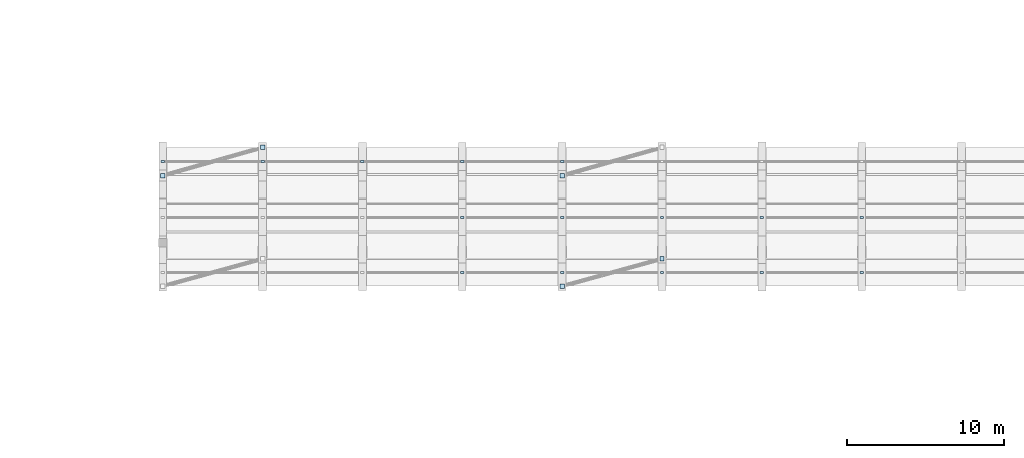
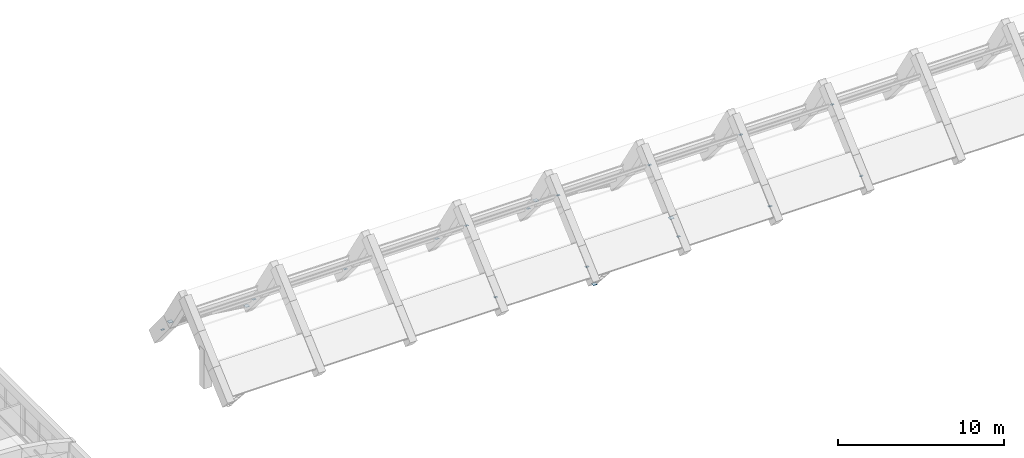
# One storey, part 24 of 40: 20 plates.
"""IFC4 building model written with IfcOpenShell, lengths in metres."""

import ifcopenshell
import ifcopenshell.guid

model = None  # the IFC model being written
_history = None  # IfcOwnerHistory: only IFC2X3 demands one
_inside = {}  # id of a spatial element -> (the spatial element, [elements in it])
_under = {}  # id of a project, library or spatial element -> (it, [spatial elements below it])
_declared = {}  # id of a project -> (the project, [libraries it declares])
_typed = {}  # id of a type object -> (the type object, [elements of that type])
_made_of = {}  # id of a material, layer set ... -> (it, [elements and type objects made of it])


def new_model(schema):
    """Start an empty IFC model of exactly this schema.

    Asked for "IFC4X3", IfcOpenShell would pick the latest addendum, in which some entities
    have other attributes; the version numbers below select the first issue.
    IFC2X3 requires an IfcOwnerHistory on every rooted entity: one is made here for all.
    """
    global model, _history
    if schema == "IFC4X3":
        model = ifcopenshell.file(schema_version=(4, 3, 0, 0))
    else:
        model = ifcopenshell.file(schema=schema)
    _inside.clear()
    _under.clear()
    _declared.clear()
    _typed.clear()
    _made_of.clear()
    _history = None
    if model.schema == "IFC2X3":
        org = make("IfcOrganization", Name="unknown")
        user = make(
            "IfcPersonAndOrganization",
            ThePerson=make("IfcPerson", FamilyName="unknown"),
            TheOrganization=org,
        )
        app = make(
            "IfcApplication",
            ApplicationDeveloper=org,
            Version="unknown",
            ApplicationFullName="unknown",
            ApplicationIdentifier="unknown",
        )
        _history = make(
            "IfcOwnerHistory",
            OwningUser=user,
            OwningApplication=app,
            ChangeAction="ADDED",
            CreationDate=0,
        )
    return model


def make(cls, **values):
    """One entity of the class cls with the attributes given. An attribute that is None is left unset."""
    return model.create_entity(
        cls, **{name: value for name, value in values.items() if value is not None}
    )


def rooted(cls, **values):
    """An entity with a GlobalId (a new one), such as an element, a storey or a relation."""
    return make(cls, GlobalId=ifcopenshell.guid.new(), OwnerHistory=_history, **values)


def si_unit(unit_type, name, prefix=None):
    """IfcSIUnit, for example si_unit("LENGTHUNIT", "METRE", prefix="MILLI")."""
    return make("IfcSIUnit", UnitType=unit_type, Prefix=prefix, Name=name)


def assignment(units):
    """IfcUnitAssignment: the units of a project."""
    return None if units is None else make("IfcUnitAssignment", Units=units)


def point(xyz):
    """IfcCartesianPoint."""
    return None if xyz is None else make("IfcCartesianPoint", Coordinates=xyz)


def direction(xyz):
    """IfcDirection."""
    return None if xyz is None else make("IfcDirection", DirectionRatios=xyz)


def frame(location, z_axis=None, x_axis=None):
    """IfcAxis2Placement3D, a coordinate frame: its origin and axes. An axis left out is left unset."""
    return make(
        "IfcAxis2Placement3D",
        Location=point(location),
        Axis=direction(z_axis),
        RefDirection=direction(x_axis),
    )


def frame_2d(location, x_axis=None):
    """IfcAxis2Placement2D, a coordinate frame in the plane: its origin and x axis."""
    return make(
        "IfcAxis2Placement2D", Location=point(location), RefDirection=direction(x_axis)
    )


def origin():
    """The frame at (0, 0, 0) with its axes left unset."""
    return frame((0.0, 0.0, 0.0))


def origin_2d():
    """The frame at (0, 0) in the plane with its x axis left unset."""
    return frame_2d((0.0, 0.0))


def place(relative_to, where):
    """IfcLocalPlacement: puts the frame where relative to a parent placement (None: the world)."""
    return make(
        "IfcLocalPlacement", PlacementRelTo=relative_to, RelativePlacement=where
    )


def context(
    kind, dimensions, precision=None, world=None, true_north=None, identifier=None
):
    """IfcGeometricRepresentationContext, for example the 3D "Model" context."""
    return make(
        "IfcGeometricRepresentationContext",
        ContextIdentifier=identifier,
        ContextType=kind,
        CoordinateSpaceDimension=dimensions,
        Precision=precision,
        WorldCoordinateSystem=world,
        TrueNorth=true_north,
    )


def subcontext(parent, identifier, kind, view, scale=None):
    """IfcGeometricRepresentationSubContext, for example "Body" below "Model"."""
    return make(
        "IfcGeometricRepresentationSubContext",
        ContextIdentifier=identifier,
        ContextType=kind,
        ParentContext=parent,
        TargetScale=scale,
        TargetView=view,
    )


def project(units=None, contexts=None):
    """IfcProject with its units and contexts."""
    return rooted(
        "IfcProject",
        Name="project",
        RepresentationContexts=contexts,
        UnitsInContext=assignment(units),
    )


def spatial(cls, under=None, at=None, **own):
    """A site, building, storey or space (cls), placed at a placement, below another one or the project."""
    s = rooted(cls, ObjectPlacement=at, **own)
    if under is not None:
        _under.setdefault(under.id(), (under, []))[1].append(s)
    return s


def profile(cls, at=None, kind="AREA", **sizes):
    """A parametric profile (cls). Its sizes go by their IFC names, for example OverallWidth=200.0."""
    return make(cls, ProfileType=kind, Position=at, **sizes)


def rectangle(**sizes):
    """IfcRectangleProfileDef."""
    return profile("IfcRectangleProfileDef", **sizes)


def extrude(swept, where, along, depth):
    """IfcExtrudedAreaSolid: the profile swept, set in the frame where, extruded along a direction by depth."""
    return make(
        "IfcExtrudedAreaSolid",
        SweptArea=swept,
        Position=where,
        ExtrudedDirection=direction(along),
        Depth=depth,
    )


def shape(context_of_items, identifier, shape_type, items):
    """IfcShapeRepresentation: the items that make up one representation, for example the "Body"."""
    return make(
        "IfcShapeRepresentation",
        ContextOfItems=context_of_items,
        RepresentationIdentifier=identifier,
        RepresentationType=shape_type,
        Items=items,
    )


def material(Name=None, Category=None):
    """IfcMaterial."""
    return make("IfcMaterial", Name=Name, Category=Category)


def layer(
    of_material, thickness, ventilated=None, Name=None, Category=None, Priority=None
):
    """IfcMaterialLayer: one layer of a wall or slab, of a material (None: an air gap)."""
    return make(
        "IfcMaterialLayer",
        Material=of_material,
        LayerThickness=thickness,
        IsVentilated=ventilated,
        Name=Name,
        Category=Category,
        Priority=Priority,
    )


def layer_set(layers, Name=None):
    """IfcMaterialLayerSet."""
    return make("IfcMaterialLayerSet", MaterialLayers=layers, LayerSetName=Name)


def made_of(thing, what):
    """Note that an element or type object is made of a material, layer set ...; save() writes the relation."""
    if what is not None:
        _made_of.setdefault(what.id(), (what, []))[1].append(thing)
    return thing


def type_object(cls, material=None, **own):
    """A type object (cls), such as IfcWallType, which elements share."""
    return made_of(rooted(cls, **own), material)


def element(
    cls,
    number,
    at=None,
    inside=None,
    cuts=None,
    type_object=None,
    material=None,
    context=None,
    identifier="Body",
    shape_type=None,
    held_by="IfcProductDefinitionShape",
    body=None,
    shapes=None,
    **own,
):
    """One element of the class cls, such as IfcWall. Its Tag is "e" and its number.

    at: its placement. inside: the storey or other place that contains it. cuts: it is an
    opening in that element (IfcRelVoidsElement). A single representation is given by context,
    identifier, shape_type and body (its items); several are given by shapes. held_by: the class
    of the entity that holds the representations. save() writes the other relations.
    """
    e = rooted(cls, Tag="e%d" % number, ObjectPlacement=at, **own)
    if body is not None:
        shapes = [shape(context, identifier, shape_type, body)]
    if shapes is not None:
        e.Representation = make(held_by, Representations=shapes)
    if inside is not None:
        _inside.setdefault(inside.id(), (inside, []))[1].append(e)
    if cuts is not None:
        rooted(
            "IfcRelVoidsElement", RelatingBuildingElement=cuts, RelatedOpeningElement=e
        )
    if type_object is not None:
        _typed.setdefault(type_object.id(), (type_object, []))[1].append(e)
    return made_of(e, material)


def aggregate(whole, parts):
    """IfcRelAggregates: a whole, such as a stair, and the parts it consists of."""
    return rooted("IfcRelAggregates", RelatingObject=whole, RelatedObjects=parts)


def save(model, path):
    """Write the relations noted so far, then the file.

    IfcRelAggregates (storeys below a building ...), IfcRelContainedInSpatialStructure (elements
    in a storey), IfcRelDefinesByType, IfcRelAssociatesMaterial and IfcRelDeclares: one each for
    every whole, place, type object, material and project.
    """
    for whole, parts in _under.values():
        aggregate(whole, parts)
    for where, things in _inside.values():
        rooted(
            "IfcRelContainedInSpatialStructure",
            RelatedElements=things,
            RelatingStructure=where,
        )
    for kind, things in _typed.values():
        rooted("IfcRelDefinesByType", RelatedObjects=things, RelatingType=kind)
    for what, things in _made_of.values():
        rooted("IfcRelAssociatesMaterial", RelatedObjects=things, RelatingMaterial=what)
    for by, libraries in _declared.values():
        rooted("IfcRelDeclares", RelatingContext=by, RelatedDefinitions=libraries)
    model.write(path)


model = new_model("IFC4")

# Units and contexts
model_context = context("Model", 3, precision=1e-05, world=origin(), true_north=direction((0.0, 1.0)))
body_context = subcontext(model_context, "Body", "Model", "MODEL_VIEW")
ifc_project = project(units=[si_unit("LENGTHUNIT", "METRE"), si_unit("AREAUNIT", "SQUARE_METRE"), si_unit("VOLUMEUNIT", "CUBIC_METRE"), si_unit("PLANEANGLEUNIT", "RADIAN"), si_unit("MASSUNIT", "GRAM", prefix="KILO")], contexts=[model_context])

# Site, building, storey
site_placement = place(None, origin())
site = spatial("IfcSite", under=ifc_project, at=site_placement, CompositionType="ELEMENT")
building_placement = place(site_placement, origin())
building = spatial("IfcBuilding", under=site, at=building_placement, Name="Trellovar Central Fire Station", CompositionType="ELEMENT")
storey_placement = place(building_placement, frame((0.0, 0.0, 12.75)))
storey = spatial("IfcBuildingStorey", under=building, at=storey_placement, Name="L04", CompositionType="ELEMENT", Elevation=12.75)

# Plates
ifc_material_1 = material(Name="Steel ASTM A36", Category="steel")
ifc_layer_1 = layer(ifc_material_1, 0.02001953125)
ifc_layer_set_1 = layer_set([ifc_layer_1], Name="Steel ASTM A36")
plate_type_1 = type_object("IfcPlateType", Name="PLT-EP2", PredefinedType="SHEET", material=ifc_layer_set_1)
for number, where, z_axis, x_axis, name in (
    (1, (35.0, 26.273193359375, 2.1103515625), (0.0, 0.0, 1.0), (1.0, 0.0, 0.0), "HSS end-cap plate 209"),
    (2, (41.35009765625, 28.066650390625, -0.052734375), (0.0, 0.0, 1.0), (1.0, 0.0, 0.0), "HSS end-cap plate 210"),
    (3, (60.39990234375, 19.239990234375, 0.239990234375), (0.0, 0.0, 1.0), (1.0, 0.0, 0.0), "HSS end-cap plate 252"),
    (4, (66.75, 20.98681640625, 1.806640625), (0.0, 0.0, 1.0), (1.0, 0.0, 0.0), "HSS end-cap plate 253"),
    (5, (60.39990234375, 26.273193359375, 2.1103515625), (0.0, 0.0, 1.0), (1.0, 0.0, 0.0), "HSS end-cap plate 256"),
):
    element("IfcPlate", number, at=place(storey_placement, frame(where, z_axis=z_axis, x_axis=x_axis)), inside=storey, type_object=plate_type_1, Name=name, PredefinedType="SHEET", context=body_context, shape_type="SweptSolid", body=[
        extrude(rectangle(XDim=0.280029296875, YDim=0.280029296875, at=origin_2d()), origin(), (0.0, 0.0, 1.0), 0.02001953125),
    ])
ifc_material_2 = material(Name="Steel ASTM A36", Category="steel")
ifc_layer_2 = layer(ifc_material_2, 0.01611328125)
ifc_layer_set_2 = layer_set([ifc_layer_2], Name="Steel ASTM A36")
plate_type_2 = type_object("IfcPlateType", Name="PLT-EP4", PredefinedType="SHEET", material=ifc_layer_set_2)
for number, where, z_axis, x_axis, name in (
    (6, (35.0, 27.169921875, 0.99072265625), (0.0, 0.0, 1.0), (1.0, 0.0, 0.0), "HSS end-cap plate 207"),
    (7, (41.35009765625, 27.169921875, 0.99072265625), (0.0, 0.0, 1.0), (1.0, 0.0, 0.0), "HSS end-cap plate 208"),
    (8, (47.699951171875, 27.169921875, 0.99072265625), (0.0, 0.0, 1.0), (1.0, 0.0, 0.0), "HSS end-cap plate 226"),
    (9, (54.050048828125, 20.11328125, 0.9853515625), (0.0, 0.0, 1.0), (1.0, 0.0, 0.0), "HSS end-cap plate 233"),
    (10, (54.050048828125, 23.606689453125, 4.11865234375), (0.0, 0.0, 1.0), (1.0, 0.0, 0.0), "HSS end-cap plate 234"),
    (11, (54.050048828125, 27.169921875, 0.99072265625), (0.0, 0.0, 1.0), (1.0, 0.0, 0.0), "HSS end-cap plate 235"),
    (12, (60.39990234375, 20.11328125, 0.9853515625), (0.0, 0.0, 1.0), (1.0, 0.0, 0.0), "HSS end-cap plate 242"),
    (13, (60.39990234375, 23.606689453125, 4.11865234375), (0.0, 0.0, 1.0), (1.0, 0.0, 0.0), "HSS end-cap plate 243"),
    (14, (60.39990234375, 27.169921875, 0.99072265625), (0.0, 0.0, 1.0), (1.0, 0.0, 0.0), "HSS end-cap plate 244"),
    (15, (66.75, 20.11328125, 0.9853515625), (0.0, 0.0, 1.0), (1.0, 0.0, 0.0), "HSS end-cap plate 251"),
    (16, (66.75, 23.606689453125, 4.11865234375), (0.0, 0.0, 1.0), (1.0, 0.0, 0.0), "HSS end-cap plate 254"),
    (17, (73.10009765625, 20.11328125, 0.9853515625), (0.0, 0.0, 1.0), (1.0, 0.0, 0.0), "HSS end-cap plate 266"),
    (18, (73.10009765625, 23.606689453125, 4.11865234375), (0.0, 0.0, 1.0), (1.0, 0.0, 0.0), "HSS end-cap plate 267"),
    (19, (79.449951171875, 20.11328125, 0.9853515625), (0.0, 0.0, 1.0), (1.0, 0.0, 0.0), "HSS end-cap plate 275"),
    (20, (79.449951171875, 23.606689453125, 4.11865234375), (0.0, 0.0, 1.0), (1.0, 0.0, 0.0), "HSS end-cap plate 276"),
):
    element("IfcPlate", number, at=place(storey_placement, frame(where, z_axis=z_axis, x_axis=x_axis)), inside=storey, type_object=plate_type_2, Name=name, PredefinedType="SHEET", context=body_context, shape_type="SweptSolid", body=[
        extrude(rectangle(XDim=0.219970703125, YDim=0.139892578125, at=origin_2d()), origin(), (0.0, 0.0, 1.0), 0.01611328125),
    ])

save(model, "model.ifc")
